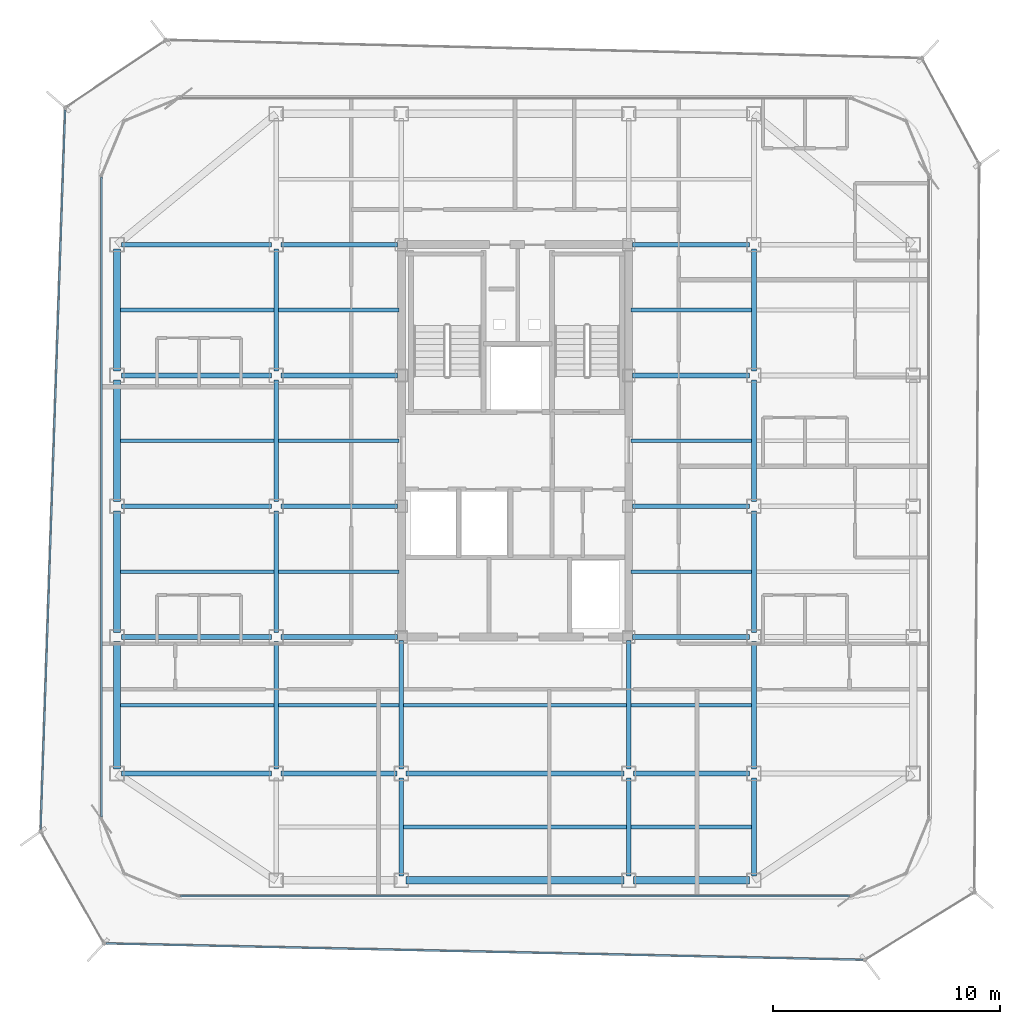
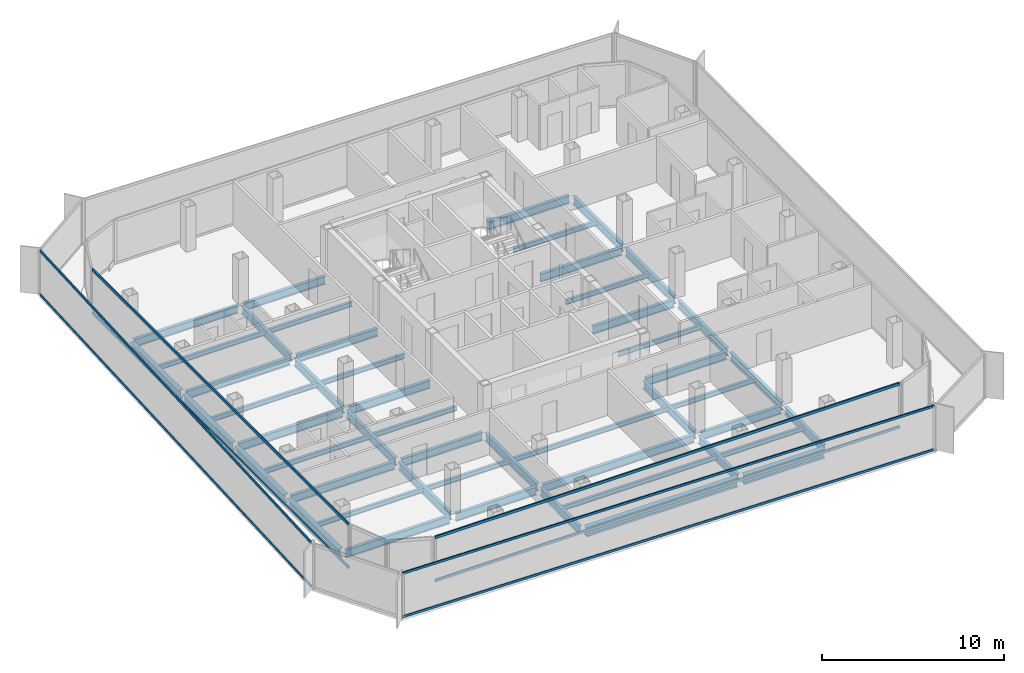
# One storey, part 3 of 15: 50 beams, 8 members, 4 elements without a shape of their own.
"""IFC4 building model written with IfcOpenShell, lengths in metres."""

from ifc_helpers import new_model, si_unit, direction, frame, origin, origin_2d, place, context, subcontext, project, spatial, hollow_rectangle, i_section, extrude, source, transform, mapped, material, layer, layer_set, material_profile, profile_set, type_object, element, aggregate, save


model = new_model("IFC4")

# Units and contexts
model_context = context("Model", 3, precision=1e-05, world=origin(), true_north=direction((0.0, 1.0)))
body_context = subcontext(model_context, "Body", "Model", "MODEL_VIEW")
ifc_project = project(units=[si_unit("LENGTHUNIT", "METRE"), si_unit("AREAUNIT", "SQUARE_METRE"), si_unit("VOLUMEUNIT", "CUBIC_METRE"), si_unit("PLANEANGLEUNIT", "RADIAN"), si_unit("MASSUNIT", "GRAM", prefix="KILO")], contexts=[model_context])

# Site, building, storey
site_placement = place(None, origin())
site = spatial("IfcSite", under=ifc_project, at=site_placement, CompositionType="ELEMENT")
building_placement = place(site_placement, origin())
building = spatial("IfcBuilding", under=site, at=building_placement, Name="Kolveth Station Tower", CompositionType="ELEMENT")
storey_placement = place(building_placement, frame((0.0, 0.0, 248.89990234375)))
storey = spatial("IfcBuildingStorey", under=building, at=storey_placement, Name="L71", CompositionType="ELEMENT", Elevation=248.89990234375)

# Beams
ifc_material_1 = material(Name="Steel S355", Category="steel")
ifc_material_profile_1 = material_profile(ifc_material_1, i_section(OverallWidth=0.323974609375, OverallDepth=0.611083984375, WebThickness=0.0126953125, FlangeThickness=0.01904296875, at=origin_2d()), Name="W610x155")
ifc_profile_set_1 = profile_set([ifc_material_profile_1], Name="Steel S355")
beam_type_1 = type_object("IfcBeamType", Name="Beam_SP2", PredefinedType="SPANDREL", material=ifc_profile_set_1)
shared_shape_1 = source(origin(), body_context, "Body", "SweptSolid", [
    extrude(i_section(OverallWidth=0.323974609375, OverallDepth=0.611083984375, WebThickness=0.0126953125, FlangeThickness=0.01904296875, at=origin_2d()), origin(), (0.0, 0.0, 1.0), 5.10009765625),
])
beam_1_placement = place(storey_placement, frame((28.699951171875, 0.800048828125, -0.525390625), z_axis=(1.0, 0.0, 0.0), x_axis=(0.0, 1.0, 0.0)))
element("IfcBeam", 1, at=beam_1_placement, inside=storey, type_object=beam_type_1, Name="L71 Perimeter Spandrel BM-L71-PS-3", PredefinedType="SPANDREL", context=body_context, shape_type="MappedRepresentation", body=[
    mapped(shared_shape_1, transform((0.0, 0.0, 0.0), x_axis=(1.0, 0.0, 0.0), y_axis=(0.0, 1.0, 0.0), z_axis=(0.0, 0.0, 1.0), scale=1.0)),
])
shared_shape_2 = source(origin(), body_context, "Body", "SweptSolid", [
    extrude(i_section(OverallWidth=0.323974609375, OverallDepth=0.611083984375, WebThickness=0.0126953125, FlangeThickness=0.01904296875, at=origin_2d()), origin(), (0.0, 0.0, 1.0), 9.60009765625),
])
beam_2_placement = place(storey_placement, frame((18.699951171875, 0.800048828125, -0.525390625), z_axis=(1.0, 0.0, 0.0), x_axis=(0.0, 1.0, 0.0)))
element("IfcBeam", 2, at=beam_2_placement, inside=storey, type_object=beam_type_1, Name="L71 Perimeter Spandrel BM-L71-PS-2", PredefinedType="SPANDREL", context=body_context, shape_type="MappedRepresentation", body=[
    mapped(shared_shape_2, transform((0.0, 0.0, 0.0), x_axis=(1.0, 0.0, 0.0), y_axis=(0.0, 1.0, 0.0), z_axis=(0.0, 0.0, 1.0), scale=1.0)),
])
shared_shape_3 = source(origin(), body_context, "Body", "SweptSolid", [
    extrude(i_section(OverallWidth=0.323974609375, OverallDepth=0.611083984375, WebThickness=0.0126953125, FlangeThickness=0.01904296875, at=origin_2d()), origin(), (0.0, 0.0, 1.0), 5.60009765625),
])
beam_3_placement = place(storey_placement, frame((6.0, 5.699951171875, -0.525390625), z_axis=(0.0, 1.0, 0.0), x_axis=(-1.0, 0.0, 0.0)))
element("IfcBeam", 3, at=beam_3_placement, inside=storey, type_object=beam_type_1, Name="L71 Perimeter Spandrel BM-L71-PW-1", PredefinedType="SPANDREL", context=body_context, shape_type="MappedRepresentation", body=[
    mapped(shared_shape_3, transform((0.0, 0.0, 0.0), x_axis=(1.0, 0.0, 0.0), y_axis=(0.0, 1.0, 0.0), z_axis=(0.0, 0.0, 1.0), scale=1.0)),
])
shared_shape_4 = source(origin(), body_context, "Body", "SweptSolid", [
    extrude(i_section(OverallWidth=0.323974609375, OverallDepth=0.611083984375, WebThickness=0.0126953125, FlangeThickness=0.01904296875, at=origin_2d()), origin(), (0.0, 0.0, 1.0), 5.35009765625),
])
for number, where, z_axis, x_axis, name in (
    (4, (6.0, 11.699951171875, -0.525390625), (0.0, 1.0, 0.0), (-1.0, 0.0, 0.0), "L71 Perimeter Spandrel BM-L71-PW-2"),
    (5, (6.0, 17.449951171875, -0.525390625), (0.0, 1.0, 0.0), (-1.0, 0.0, 0.0), "L71 Perimeter Spandrel BM-L71-PW-3"),
    (6, (6.0, 23.199951171875, -0.525390625), (0.0, 1.0, 0.0), (-1.0, 0.0, 0.0), "L71 Perimeter Spandrel BM-L71-PW-4"),
):
    element("IfcBeam", number, at=place(storey_placement, frame(where, z_axis=z_axis, x_axis=x_axis)), inside=storey, type_object=beam_type_1, Name=name, PredefinedType="SPANDREL", context=body_context, shape_type="MappedRepresentation", body=[
        mapped(shared_shape_4, transform((0.0, 0.0, 0.0), x_axis=(1.0, 0.0, 0.0), y_axis=(0.0, 1.0, 0.0), z_axis=(0.0, 0.0, 1.0), scale=1.0)),
    ])
ifc_material_profile_2 = material_profile(ifc_material_1, i_section(OverallWidth=0.2099609375, OverallDepth=0.537109375, WebThickness=0.010986328125, FlangeThickness=0.017333984375, at=origin_2d()), Name="W530x101")
ifc_profile_set_2 = profile_set([ifc_material_profile_2], Name="Steel S355")
beam_type_2 = type_object("IfcBeamType", Name="Beam_B6", PredefinedType="BEAM", material=ifc_profile_set_2)
shared_shape_5 = source(origin(), body_context, "Body", "SweptSolid", [
    extrude(i_section(OverallWidth=0.2099609375, OverallDepth=0.537109375, WebThickness=0.010986328125, FlangeThickness=0.017333984375, at=origin_2d()), origin(), (0.0, 0.0, 1.0), 6.60009765625),
])
for number, where, z_axis, x_axis, name in (
    (7, (6.199951171875, 5.5, -0.48828125), (1.0, 0.0, 0.0), (0.0, 1.0, 0.0), "L71 Primary Girder BM-L71-GY55-1"),
    (8, (6.199951171875, 11.5, -0.48828125), (1.0, 0.0, 0.0), (0.0, 1.0, 0.0), "L71 Primary Girder BM-L71-GY115-1"),
    (9, (6.199951171875, 17.25, -0.48828125), (1.0, 0.0, 0.0), (0.0, 1.0, 0.0), "L71 Primary Girder BM-L71-GY172-1"),
    (10, (6.199951171875, 23.0, -0.48828125), (1.0, 0.0, 0.0), (0.0, 1.0, 0.0), "L71 Primary Girder BM-L71-GY230-1"),
    (11, (6.199951171875, 28.75, -0.48828125), (1.0, 0.0, 0.0), (0.0, 1.0, 0.0), "L71 Primary Girder BM-L71-GY287-1"),
):
    element("IfcBeam", number, at=place(storey_placement, frame(where, z_axis=z_axis, x_axis=x_axis)), inside=storey, type_object=beam_type_2, Name=name, PredefinedType="BEAM", context=body_context, shape_type="MappedRepresentation", body=[
        mapped(shared_shape_5, transform((0.0, 0.0, 0.0), x_axis=(1.0, 0.0, 0.0), y_axis=(0.0, 1.0, 0.0), z_axis=(0.0, 0.0, 1.0), scale=1.0)),
    ])
shared_shape_6 = source(origin(), body_context, "Body", "SweptSolid", [
    extrude(i_section(OverallWidth=0.2099609375, OverallDepth=0.537109375, WebThickness=0.010986328125, FlangeThickness=0.017333984375, at=origin_2d()), origin(), (0.0, 0.0, 1.0), 5.10009765625),
])
for number, where, z_axis, x_axis, name in (
    (12, (13.199951171875, 5.5, -0.48828125), (1.0, 0.0, 0.0), (0.0, 1.0, 0.0), "L71 Primary Girder BM-L71-GY55-2"),
    (13, (28.699951171875, 5.5, -0.48828125), (1.0, 0.0, 0.0), (0.0, 1.0, 0.0), "L71 Primary Girder BM-L71-GY55-4"),
):
    element("IfcBeam", number, at=place(storey_placement, frame(where, z_axis=z_axis, x_axis=x_axis)), inside=storey, type_object=beam_type_2, Name=name, PredefinedType="BEAM", context=body_context, shape_type="MappedRepresentation", body=[
        mapped(shared_shape_6, transform((0.0, 0.0, 0.0), x_axis=(1.0, 0.0, 0.0), y_axis=(0.0, 1.0, 0.0), z_axis=(0.0, 0.0, 1.0), scale=1.0)),
    ])
shared_shape_7 = source(origin(), body_context, "Body", "SweptSolid", [
    extrude(i_section(OverallWidth=0.2099609375, OverallDepth=0.537109375, WebThickness=0.010986328125, FlangeThickness=0.017333984375, at=origin_2d()), origin(), (0.0, 0.0, 1.0), 9.60009765625),
])
beam_4_placement = place(storey_placement, frame((18.699951171875, 5.5, -0.48828125), z_axis=(1.0, 0.0, 0.0), x_axis=(0.0, 1.0, 0.0)))
element("IfcBeam", 14, at=beam_4_placement, inside=storey, type_object=beam_type_2, Name="L71 Primary Girder BM-L71-GY55-3", PredefinedType="BEAM", context=body_context, shape_type="MappedRepresentation", body=[
    mapped(shared_shape_7, transform((0.0, 0.0, 0.0), x_axis=(1.0, 0.0, 0.0), y_axis=(0.0, 1.0, 0.0), z_axis=(0.0, 0.0, 1.0), scale=1.0)),
])
shared_shape_8 = source(origin(), body_context, "Body", "SweptSolid", [
    extrude(i_section(OverallWidth=0.2099609375, OverallDepth=0.537109375, WebThickness=0.010986328125, FlangeThickness=0.017333984375, at=origin_2d()), origin(), (0.0, 0.0, 1.0), 5.14013671875),
])
for number, where, z_axis, x_axis, name in (
    (15, (13.199951171875, 11.5, -0.48828125), (1.0, 0.0, 0.0), (0.0, 1.0, 0.0), "L71 Primary Girder BM-L71-GY115-2"),
    (16, (28.659912109375, 11.5, -0.48828125), (1.0, 0.0, 0.0), (0.0, 1.0, 0.0), "L71 Primary Girder BM-L71-GY115-4"),
    (17, (13.199951171875, 17.25, -0.48828125), (1.0, 0.0, 0.0), (0.0, 1.0, 0.0), "L71 Primary Girder BM-L71-GY172-2"),
    (18, (28.659912109375, 17.25, -0.48828125), (1.0, 0.0, 0.0), (0.0, 1.0, 0.0), "L71 Primary Girder BM-L71-GY172-4"),
    (19, (13.199951171875, 23.0, -0.48828125), (1.0, 0.0, 0.0), (0.0, 1.0, 0.0), "L71 Primary Girder BM-L71-GY230-2"),
    (20, (28.659912109375, 23.0, -0.48828125), (1.0, 0.0, 0.0), (0.0, 1.0, 0.0), "L71 Primary Girder BM-L71-GY230-4"),
    (21, (13.199951171875, 28.75, -0.48828125), (1.0, 0.0, 0.0), (0.0, 1.0, 0.0), "L71 Primary Girder BM-L71-GY287-2"),
    (22, (28.659912109375, 28.75, -0.48828125), (1.0, 0.0, 0.0), (0.0, 1.0, 0.0), "L71 Primary Girder BM-L71-GY287-4"),
):
    element("IfcBeam", number, at=place(storey_placement, frame(where, z_axis=z_axis, x_axis=x_axis)), inside=storey, type_object=beam_type_2, Name=name, PredefinedType="BEAM", context=body_context, shape_type="MappedRepresentation", body=[
        mapped(shared_shape_8, transform((0.0, 0.0, 0.0), x_axis=(1.0, 0.0, 0.0), y_axis=(0.0, 1.0, 0.0), z_axis=(0.0, 0.0, 1.0), scale=1.0)),
    ])
shared_shape_9 = source(origin(), body_context, "Body", "SweptSolid", [
    extrude(i_section(OverallWidth=0.2099609375, OverallDepth=0.537109375, WebThickness=0.010986328125, FlangeThickness=0.017333984375, at=origin_2d()), origin(), (0.0, 0.0, 1.0), 4.300048828125),
])
for number, where, z_axis, x_axis, name in (
    (23, (18.5, 1.0, -0.48828125), (0.0, 1.0, 0.0), (-1.0, 0.0, 0.0), "L71 Primary Girder BM-L71-GX185-1"),
    (24, (28.5, 1.0, -0.48828125), (0.0, 1.0, 0.0), (-1.0, 0.0, 0.0), "L71 Primary Girder BM-L71-GX285-1"),
    (25, (34.0, 1.0, -0.48828125), (0.0, 1.0, 0.0), (-1.0, 0.0, 0.0), "L71 Primary Girder BM-L71-GX340-1"),
):
    element("IfcBeam", number, at=place(storey_placement, frame(where, z_axis=z_axis, x_axis=x_axis)), inside=storey, type_object=beam_type_2, Name=name, PredefinedType="BEAM", context=body_context, shape_type="MappedRepresentation", body=[
        mapped(shared_shape_9, transform((0.0, 0.0, 0.0), x_axis=(1.0, 0.0, 0.0), y_axis=(0.0, 1.0, 0.0), z_axis=(0.0, 0.0, 1.0), scale=1.0)),
    ])
shared_shape_10 = source(origin(), body_context, "Body", "SweptSolid", [
    extrude(i_section(OverallWidth=0.2099609375, OverallDepth=0.537109375, WebThickness=0.010986328125, FlangeThickness=0.017333984375, at=origin_2d()), origin(), (0.0, 0.0, 1.0), 5.60009765625),
])
for number, where, z_axis, x_axis, name in (
    (26, (13.0, 5.699951171875, -0.48828125), (0.0, 1.0, 0.0), (-1.0, 0.0, 0.0), "L71 Primary Girder BM-L71-GX130-2"),
    (27, (34.0, 5.699951171875, -0.48828125), (0.0, 1.0, 0.0), (-1.0, 0.0, 0.0), "L71 Primary Girder BM-L71-GX340-2"),
):
    element("IfcBeam", number, at=place(storey_placement, frame(where, z_axis=z_axis, x_axis=x_axis)), inside=storey, type_object=beam_type_2, Name=name, PredefinedType="BEAM", context=body_context, shape_type="MappedRepresentation", body=[
        mapped(shared_shape_10, transform((0.0, 0.0, 0.0), x_axis=(1.0, 0.0, 0.0), y_axis=(0.0, 1.0, 0.0), z_axis=(0.0, 0.0, 1.0), scale=1.0)),
    ])
shared_shape_11 = source(origin(), body_context, "Body", "SweptSolid", [
    extrude(i_section(OverallWidth=0.2099609375, OverallDepth=0.537109375, WebThickness=0.010986328125, FlangeThickness=0.017333984375, at=origin_2d()), origin(), (0.0, 0.0, 1.0), 5.35009765625),
])
for number, where, z_axis, x_axis, name in (
    (28, (13.0, 11.699951171875, -0.48828125), (0.0, 1.0, 0.0), (-1.0, 0.0, 0.0), "L71 Primary Girder BM-L71-GX130-3"),
    (29, (13.0, 17.449951171875, -0.48828125), (0.0, 1.0, 0.0), (-1.0, 0.0, 0.0), "L71 Primary Girder BM-L71-GX130-4"),
    (30, (13.0, 23.199951171875, -0.48828125), (0.0, 1.0, 0.0), (-1.0, 0.0, 0.0), "L71 Primary Girder BM-L71-GX130-5"),
    (31, (34.0, 11.699951171875, -0.48828125), (0.0, 1.0, 0.0), (-1.0, 0.0, 0.0), "L71 Primary Girder BM-L71-GX340-3"),
    (32, (34.0, 17.449951171875, -0.48828125), (0.0, 1.0, 0.0), (-1.0, 0.0, 0.0), "L71 Primary Girder BM-L71-GX340-4"),
    (33, (34.0, 23.199951171875, -0.48828125), (0.0, 1.0, 0.0), (-1.0, 0.0, 0.0), "L71 Primary Girder BM-L71-GX340-5"),
):
    element("IfcBeam", number, at=place(storey_placement, frame(where, z_axis=z_axis, x_axis=x_axis)), inside=storey, type_object=beam_type_2, Name=name, PredefinedType="BEAM", context=body_context, shape_type="MappedRepresentation", body=[
        mapped(shared_shape_11, transform((0.0, 0.0, 0.0), x_axis=(1.0, 0.0, 0.0), y_axis=(0.0, 1.0, 0.0), z_axis=(0.0, 0.0, 1.0), scale=1.0)),
    ])
shared_shape_12 = source(origin(), body_context, "Body", "SweptSolid", [
    extrude(i_section(OverallWidth=0.2099609375, OverallDepth=0.537109375, WebThickness=0.010986328125, FlangeThickness=0.017333984375, at=origin_2d()), origin(), (0.0, 0.0, 1.0), 5.64013671875),
])
for number, where, z_axis, x_axis, name in (
    (34, (18.5, 5.699951171875, -0.48828125), (0.0, 1.0, 0.0), (-1.0, 0.0, 0.0), "L71 Primary Girder BM-L71-GX185-2"),
    (35, (28.5, 5.699951171875, -0.48828125), (0.0, 1.0, 0.0), (-1.0, 0.0, 0.0), "L71 Primary Girder BM-L71-GX285-2"),
):
    element("IfcBeam", number, at=place(storey_placement, frame(where, z_axis=z_axis, x_axis=x_axis)), inside=storey, type_object=beam_type_2, Name=name, PredefinedType="BEAM", context=body_context, shape_type="MappedRepresentation", body=[
        mapped(shared_shape_12, transform((0.0, 0.0, 0.0), x_axis=(1.0, 0.0, 0.0), y_axis=(0.0, 1.0, 0.0), z_axis=(0.0, 0.0, 1.0), scale=1.0)),
    ])
ifc_material_profile_3 = material_profile(ifc_material_1, i_section(OverallWidth=0.1650390625, OverallDepth=0.31005859375, WebThickness=0.005859375, FlangeThickness=0.009765625, at=origin_2d()), Name="W310x39")
ifc_profile_set_3 = profile_set([ifc_material_profile_3], Name="Steel S355")
beam_type_3 = type_object("IfcBeamType", Name="Beam_J3", PredefinedType="JOIST", material=ifc_profile_set_3)
shared_shape_13 = source(origin(), body_context, "Body", "SweptSolid", [
    extrude(i_section(OverallWidth=0.1650390625, OverallDepth=0.31005859375, WebThickness=0.005859375, FlangeThickness=0.009765625, at=origin_2d()), origin(), (0.0, 0.0, 1.0), 6.737060546875),
])
for number, where, z_axis, x_axis, name in (
    (36, (6.159912109375, 8.5, -0.375), (1.0, 0.0, 0.0), (0.0, 1.0, 0.0), "L71 Secondary Joist JST-L71-1-2"),
    (37, (6.159912109375, 14.375, -0.375), (1.0, 0.0, 0.0), (0.0, 1.0, 0.0), "L71 Secondary Joist JST-L71-1-3"),
    (38, (6.159912109375, 20.125, -0.375), (1.0, 0.0, 0.0), (0.0, 1.0, 0.0), "L71 Secondary Joist JST-L71-1-4"),
    (39, (6.159912109375, 25.875, -0.375), (1.0, 0.0, 0.0), (0.0, 1.0, 0.0), "L71 Secondary Joist JST-L71-1-5"),
):
    element("IfcBeam", number, at=place(storey_placement, frame(where, z_axis=z_axis, x_axis=x_axis)), inside=storey, type_object=beam_type_3, Name=name, PredefinedType="JOIST", context=body_context, shape_type="MappedRepresentation", body=[
        mapped(shared_shape_13, transform((0.0, 0.0, 0.0), x_axis=(1.0, 0.0, 0.0), y_axis=(0.0, 1.0, 0.0), z_axis=(0.0, 0.0, 1.0), scale=1.0)),
    ])
shared_shape_14 = source(origin(), body_context, "Body", "SweptSolid", [
    extrude(i_section(OverallWidth=0.1650390625, OverallDepth=0.31005859375, WebThickness=0.005859375, FlangeThickness=0.009765625, at=origin_2d()), origin(), (0.0, 0.0, 1.0), 5.2939453125),
])
for number, where, z_axis, x_axis, name in (
    (40, (13.10302734375, 8.5, -0.375), (1.0, 0.0, 0.0), (0.0, 1.0, 0.0), "L71 Secondary Joist JST-L71-2-2"),
    (41, (13.10302734375, 14.375, -0.375), (1.0, 0.0, 0.0), (0.0, 1.0, 0.0), "L71 Secondary Joist JST-L71-2-3"),
    (42, (13.10302734375, 20.125, -0.375), (1.0, 0.0, 0.0), (0.0, 1.0, 0.0), "L71 Secondary Joist JST-L71-2-4"),
    (43, (13.10302734375, 25.875, -0.375), (1.0, 0.0, 0.0), (0.0, 1.0, 0.0), "L71 Secondary Joist JST-L71-2-5"),
    (44, (28.60302734375, 3.14990234375, -0.375), (1.0, 0.0, 0.0), (0.0, 1.0, 0.0), "L71 Secondary Joist JST-L71-4-1"),
    (45, (28.60302734375, 8.5, -0.375), (1.0, 0.0, 0.0), (0.0, 1.0, 0.0), "L71 Secondary Joist JST-L71-4-2"),
    (46, (28.60302734375, 14.375, -0.375), (1.0, 0.0, 0.0), (0.0, 1.0, 0.0), "L71 Secondary Joist JST-L71-4-3"),
    (47, (28.60302734375, 20.125, -0.375), (1.0, 0.0, 0.0), (0.0, 1.0, 0.0), "L71 Secondary Joist JST-L71-4-4"),
    (48, (28.60302734375, 25.875, -0.375), (1.0, 0.0, 0.0), (0.0, 1.0, 0.0), "L71 Secondary Joist JST-L71-4-5"),
):
    element("IfcBeam", number, at=place(storey_placement, frame(where, z_axis=z_axis, x_axis=x_axis)), inside=storey, type_object=beam_type_3, Name=name, PredefinedType="JOIST", context=body_context, shape_type="MappedRepresentation", body=[
        mapped(shared_shape_14, transform((0.0, 0.0, 0.0), x_axis=(1.0, 0.0, 0.0), y_axis=(0.0, 1.0, 0.0), z_axis=(0.0, 0.0, 1.0), scale=1.0)),
    ])
shared_shape_15 = source(origin(), body_context, "Body", "SweptSolid", [
    extrude(i_section(OverallWidth=0.1650390625, OverallDepth=0.31005859375, WebThickness=0.005859375, FlangeThickness=0.009765625, at=origin_2d()), origin(), (0.0, 0.0, 1.0), 9.7939453125),
])
for number, where, z_axis, x_axis, name in (
    (49, (18.60302734375, 3.14990234375, -0.375), (1.0, 0.0, 0.0), (0.0, 1.0, 0.0), "L71 Secondary Joist JST-L71-3-1"),
    (50, (18.60302734375, 8.5, -0.375), (1.0, 0.0, 0.0), (0.0, 1.0, 0.0), "L71 Secondary Joist JST-L71-3-2"),
):
    element("IfcBeam", number, at=place(storey_placement, frame(where, z_axis=z_axis, x_axis=x_axis)), inside=storey, type_object=beam_type_3, Name=name, PredefinedType="JOIST", context=body_context, shape_type="MappedRepresentation", body=[
        mapped(shared_shape_15, transform((0.0, 0.0, 0.0), x_axis=(1.0, 0.0, 0.0), y_axis=(0.0, 1.0, 0.0), z_axis=(0.0, 0.0, 1.0), scale=1.0)),
    ])

# Curtain wall, members
ifc_material_2 = material(Name="Aluminium 6063-T6 and triple low-E dark glass", Category="aluminium")
ifc_layer_1 = layer(ifc_material_2, 0.199951171875)
ifc_layer_set_1 = layer_set([ifc_layer_1], Name="Aluminium 6063-T6 and triple low-E dark glass")
curtain_wall_type_1 = type_object("IfcCurtainWallType", Name="CurtainWall_CW-Z3", PredefinedType="NOTDEFINED", material=ifc_layer_set_1)
curtain_wall_1_placement = place(storey_placement, origin())
curtain_wall_1 = element("IfcCurtainWall", 51, at=curtain_wall_1_placement, inside=storey, type_object=curtain_wall_type_1, Name="L71 Inner Thermal Curtain Wall 9", PredefinedType="NOTDEFINED")
ifc_material_3 = material(Name="Black anodized aluminium 6063-T6", Category="aluminium")
ifc_material_profile_4 = material_profile(ifc_material_3, hollow_rectangle(XDim=0.0849609375, YDim=0.179931640625, WallThickness=0.0048828125, at=origin_2d()), Name="ALU-85x180x5")
ifc_profile_set_4 = profile_set([ifc_material_profile_4], Name="Black anodized aluminium 6063-T6")
member_type_1 = type_object("IfcMemberType", Name="Transom_TR3", PredefinedType="USERDEFINED", material=ifc_profile_set_4)
shared_shape_16 = source(origin(), body_context, "Body", "SweptSolid", [
    extrude(hollow_rectangle(XDim=0.0849609375, YDim=0.179931640625, WallThickness=0.0048828125, at=origin_2d()), origin(), (0.0, 0.0, 1.0), 28.130126953125),
])
member_1_placement = place(storey_placement, frame((5.320068359375, 31.715087890625, 0.04248046875), z_axis=(0.0, -1.0, 0.0), x_axis=(1.0, 0.0, 0.0)))
member_1 = element("IfcMember", 52, at=member_1_placement, type_object=member_type_1, Name="CW-Z3 transom 1.1", ObjectType="TRANSOM", PredefinedType="USERDEFINED", context=body_context, shape_type="MappedRepresentation", body=[
    mapped(shared_shape_16, transform((0.0, 0.0, 0.0), x_axis=(1.0, 0.0, 0.0), y_axis=(0.0, 1.0, 0.0), z_axis=(0.0, 0.0, 1.0), scale=1.0)),
])
member_2_placement = place(storey_placement, frame((5.320068359375, 31.715087890625, 2.9375), z_axis=(0.0, -1.0, 0.0), x_axis=(1.0, 0.0, 0.0)))
member_2 = element("IfcMember", 53, at=member_2_placement, type_object=member_type_1, Name="CW-Z3 transom 1.2", ObjectType="TRANSOM", PredefinedType="USERDEFINED", context=body_context, shape_type="MappedRepresentation", body=[
    mapped(shared_shape_16, transform((0.0, 0.0, 0.0), x_axis=(1.0, 0.0, 0.0), y_axis=(0.0, 1.0, 0.0), z_axis=(0.0, 0.0, 1.0), scale=1.0)),
])
aggregate(curtain_wall_1, [member_1, member_2])

curtain_wall_2_placement = place(storey_placement, origin())
curtain_wall_2 = element("IfcCurtainWall", 54, at=curtain_wall_2_placement, inside=storey, type_object=curtain_wall_type_1, Name="L71 Inner Thermal Curtain Wall 12", PredefinedType="NOTDEFINED")
shared_shape_17 = source(origin(), body_context, "Body", "SweptSolid", [
    extrude(hollow_rectangle(XDim=0.0849609375, YDim=0.179931640625, WallThickness=0.0048828125, at=origin_2d()), origin(), (0.0, 0.0, 1.0), 29.43017578125),
])
member_3_placement = place(storey_placement, frame((8.784912109375, 0.1201171875, 0.04248046875), z_axis=(1.0, 0.0, 0.0), x_axis=(0.0, 1.0, 0.0)))
member_3 = element("IfcMember", 55, at=member_3_placement, type_object=member_type_1, Name="CW-Z3 transom 1.1", ObjectType="TRANSOM", PredefinedType="USERDEFINED", context=body_context, shape_type="MappedRepresentation", body=[
    mapped(shared_shape_17, transform((0.0, 0.0, 0.0), x_axis=(1.0, 0.0, 0.0), y_axis=(0.0, 1.0, 0.0), z_axis=(0.0, 0.0, 1.0), scale=1.0)),
])
member_4_placement = place(storey_placement, frame((8.784912109375, 0.1201171875, 2.9375), z_axis=(1.0, 0.0, 0.0), x_axis=(0.0, 1.0, 0.0)))
member_4 = element("IfcMember", 56, at=member_4_placement, type_object=member_type_1, Name="CW-Z3 transom 1.2", ObjectType="TRANSOM", PredefinedType="USERDEFINED", context=body_context, shape_type="MappedRepresentation", body=[
    mapped(shared_shape_17, transform((0.0, 0.0, 0.0), x_axis=(1.0, 0.0, 0.0), y_axis=(0.0, 1.0, 0.0), z_axis=(0.0, 0.0, 1.0), scale=1.0)),
])
aggregate(curtain_wall_2, [member_3, member_4])

ifc_material_4 = material(Name="Black anodized aluminium 6063-T6 and dark solar glass", Category="aluminium")
ifc_layer_2 = layer(ifc_material_4, 0.159912109375)
ifc_layer_set_2 = layer_set([ifc_layer_2], Name="Black anodized aluminium 6063-T6 and dark solar glass")
curtain_wall_type_2 = type_object("IfcCurtainWallType", Name="OUTER SKIN CW-OS", PredefinedType="NOTDEFINED", material=ifc_layer_set_2)
curtain_wall_3_placement = place(storey_placement, origin())
curtain_wall_3 = element("IfcCurtainWall", 57, at=curtain_wall_3_placement, inside=storey, type_object=curtain_wall_type_2, Name="L71 Outer Ventilated Skin Curtain Wall 6", PredefinedType="NOTDEFINED")
ifc_material_profile_5 = material_profile(ifc_material_3, hollow_rectangle(XDim=0.080078125, YDim=0.14990234375, WallThickness=0.0048828125, at=origin_2d()), Name="ALU-80x150x5")
ifc_profile_set_5 = profile_set([ifc_material_profile_5], Name="Black anodized aluminium 6063-T6")
member_type_2 = type_object("IfcMemberType", Name="Transom_TR-OS", PredefinedType="USERDEFINED", material=ifc_profile_set_5)
shared_shape_18 = source(origin(), body_context, "Body", "SweptSolid", [
    extrude(hollow_rectangle(XDim=0.080078125, YDim=0.14990234375, WallThickness=0.0048828125, at=origin_2d()), origin(), (0.0, 0.0, 1.0), 31.65673828125),
])
member_5_placement = place(storey_placement, frame((3.721435546875, 34.6806640625, 0.0400390625), z_axis=(-0.034025860157, -0.999420952772, 0.0), x_axis=(0.999420952772, -0.034025860157, 0.0)))
member_5 = element("IfcMember", 58, at=member_5_placement, type_object=member_type_2, Name="CW-OS transom 1.1", ObjectType="TRANSOM", PredefinedType="USERDEFINED", context=body_context, shape_type="MappedRepresentation", body=[
    mapped(shared_shape_18, transform((0.0, 0.0, 0.0), x_axis=(1.0, 0.0, 0.0), y_axis=(0.0, 1.0, 0.0), z_axis=(0.0, 0.0, 1.0), scale=1.0)),
])
member_6_placement = place(storey_placement, frame((3.721435546875, 34.6806640625, 2.9501953125), z_axis=(-0.034025860157, -0.999420952772, 0.0), x_axis=(0.999420952772, -0.034025860157, 0.0)))
member_6 = element("IfcMember", 59, at=member_6_placement, type_object=member_type_2, Name="CW-OS transom 1.2", ObjectType="TRANSOM", PredefinedType="USERDEFINED", context=body_context, shape_type="MappedRepresentation", body=[
    mapped(shared_shape_18, transform((0.0, 0.0, 0.0), x_axis=(1.0, 0.0, 0.0), y_axis=(0.0, 1.0, 0.0), z_axis=(0.0, 0.0, 1.0), scale=1.0)),
])
aggregate(curtain_wall_3, [member_5, member_6])

curtain_wall_4_placement = place(storey_placement, origin())
curtain_wall_4 = element("IfcCurtainWall", 60, at=curtain_wall_4_placement, inside=storey, type_object=curtain_wall_type_2, Name="L71 Outer Ventilated Skin Curtain Wall 8", PredefinedType="NOTDEFINED")
shared_shape_19 = source(origin(), body_context, "Body", "SweptSolid", [
    extrude(hollow_rectangle(XDim=0.080078125, YDim=0.14990234375, WallThickness=0.0048828125, at=origin_2d()), origin(), (0.0, 0.0, 1.0), 33.2783203125),
])
member_7_placement = place(storey_placement, frame((5.518310546875, -1.971435546875, 0.0400390625), z_axis=(0.999765463118, -0.021656840875, 0.0), x_axis=(0.021656840875, 0.999765463118, 0.0)))
member_7 = element("IfcMember", 61, at=member_7_placement, type_object=member_type_2, Name="CW-OS transom 1.1", ObjectType="TRANSOM", PredefinedType="USERDEFINED", context=body_context, shape_type="MappedRepresentation", body=[
    mapped(shared_shape_19, transform((0.0, 0.0, 0.0), x_axis=(1.0, 0.0, 0.0), y_axis=(0.0, 1.0, 0.0), z_axis=(0.0, 0.0, 1.0), scale=1.0)),
])
member_8_placement = place(storey_placement, frame((5.518310546875, -1.971435546875, 2.9501953125), z_axis=(0.999765463118, -0.021656840875, 0.0), x_axis=(0.021656840875, 0.999765463118, 0.0)))
member_8 = element("IfcMember", 62, at=member_8_placement, type_object=member_type_2, Name="CW-OS transom 1.2", ObjectType="TRANSOM", PredefinedType="USERDEFINED", context=body_context, shape_type="MappedRepresentation", body=[
    mapped(shared_shape_19, transform((0.0, 0.0, 0.0), x_axis=(1.0, 0.0, 0.0), y_axis=(0.0, 1.0, 0.0), z_axis=(0.0, 0.0, 1.0), scale=1.0)),
])
aggregate(curtain_wall_4, [member_7, member_8])

save(model, "model.ifc")
